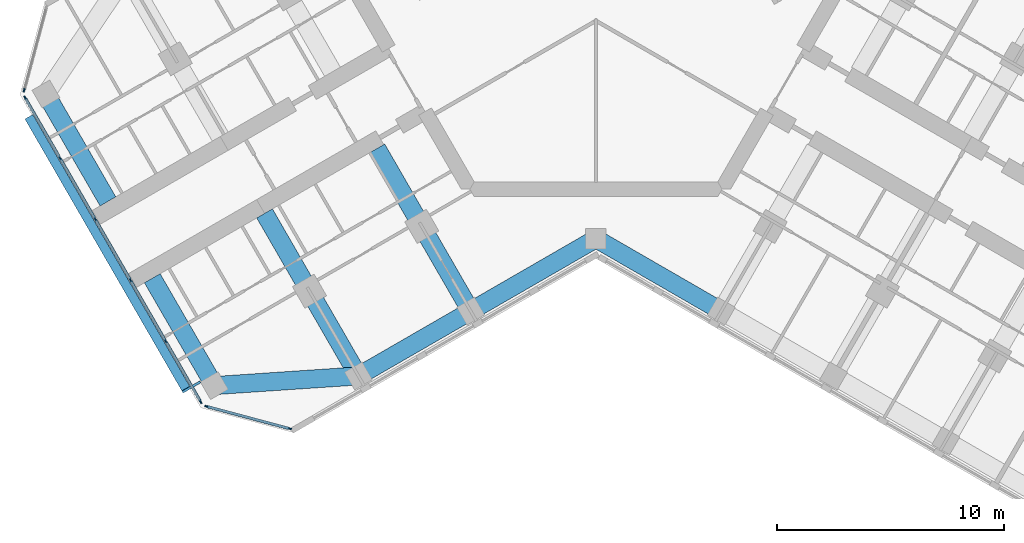
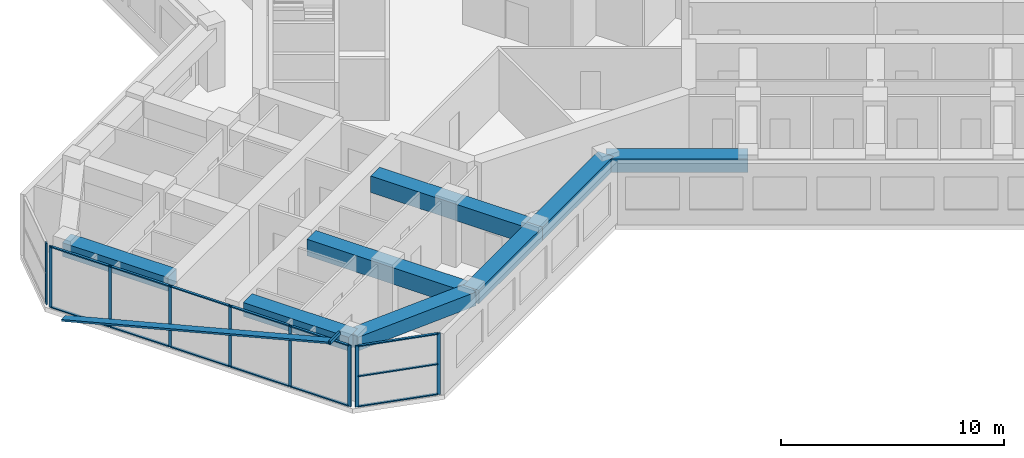
# One storey, part 2 of 16: 24 members, 8 beams, 3 elements without a shape of their own.
"""IFC4 building model written with IfcOpenShell, lengths in metres."""

from ifc_helpers import new_model, si_unit, direction, frame, origin, origin_2d, place, context, subcontext, project, spatial, rectangle, hollow_rectangle, extrude, material, material_profile, profile_set, type_object, element, aggregate, save


model = new_model("IFC4")

# Units and contexts
model_context = context("Model", 3, precision=1e-05, world=origin(), true_north=direction((0.0, 1.0)))
body_context = subcontext(model_context, "Body", "Model", "MODEL_VIEW")
ifc_project = project(units=[si_unit("LENGTHUNIT", "METRE"), si_unit("AREAUNIT", "SQUARE_METRE"), si_unit("VOLUMEUNIT", "CUBIC_METRE"), si_unit("PLANEANGLEUNIT", "RADIAN"), si_unit("MASSUNIT", "GRAM", prefix="KILO")], contexts=[model_context])

# Site, building, storey
site_placement = place(None, origin())
site = spatial("IfcSite", under=ifc_project, at=site_placement, CompositionType="ELEMENT")
building_placement = place(site_placement, origin())
building = spatial("IfcBuilding", under=site, at=building_placement, Name="Kosmar Iwan School Tower", CompositionType="ELEMENT")
storey_placement = place(building_placement, frame((0.0, 0.0, 201.0)))
storey = spatial("IfcBuildingStorey", under=building, at=storey_placement, Name="L50", CompositionType="ELEMENT", Elevation=201.0)

# Members
ifc_material_1 = material(Name="Black anodised aluminium", Category="aluminium")
ifc_material_profile_1 = material_profile(ifc_material_1, rectangle(XDim=0.10009765625, YDim=0.39990234375, at=origin_2d()), Name="FIN 100x400")
ifc_profile_set_1 = profile_set([ifc_material_profile_1], Name="Black anodised aluminium")
member_type_1 = type_object("IfcMemberType", Name="Diagonal fin 100x400", PredefinedType="USERDEFINED", material=ifc_profile_set_1)
member_1_placement = place(storey_placement, frame((-24.926513671875, -6.426025390625, -0.14990234375), z_axis=(0.483802480126, -0.837968840024, 0.252474520243), x_axis=(-0.126237445008, 0.218649241594, 0.967603543104)))
element("IfcMember", 1, at=member_1_placement, inside=storey, type_object=member_type_1, Name="Diagonal fin L50-F11", ObjectType="FIN", PredefinedType="USERDEFINED", context=body_context, shape_type="SweptSolid", body=[
    extrude(rectangle(XDim=0.10009765625, YDim=0.39990234375, at=origin_2d()), origin(), (0.0, 0.0, 1.0), 14.25830078125),
])
ifc_material_2 = material(Name="Steel S355", Category="steel")
ifc_material_profile_2 = material_profile(ifc_material_2, hollow_rectangle(XDim=0.10009765625, YDim=0.199951171875, WallThickness=0.008056640625, at=origin_2d()), Name="RHS 200x100x8")
ifc_profile_set_2 = profile_set([ifc_material_profile_2], Name="Steel S355")
member_type_2 = type_object("IfcMemberType", Name="Fin bracket RHS 200x100", PredefinedType="USERDEFINED", material=ifc_profile_set_2)
member_2_placement = place(storey_placement, frame((-17.396240234375, -18.06884765625, 3.47509765625), z_axis=(-0.866013897511, -0.50001992892, 0.0), x_axis=(0.50001992892, -0.866013897511, 0.0)))
element("IfcMember", 2, at=member_2_placement, inside=storey, type_object=member_type_2, Name="Fin bracket L51", ObjectType="FIN BRACKET", PredefinedType="USERDEFINED", context=body_context, shape_type="SweptSolid", body=[
    extrude(hollow_rectangle(XDim=0.10009765625, YDim=0.199951171875, WallThickness=0.008056640625, at=origin_2d()), origin(), (0.0, 0.0, 1.0), 0.89990234375),
])

# Curtain wall, member
ifc_material_3 = material(Name="Dark glass in black aluminium frame", Category="aluminium")
curtain_wall_type_1 = type_object("IfcCurtainWallType", Name="Chamfer curtain wall dark glass", PredefinedType="USERDEFINED", material=ifc_material_3)
curtain_wall_1_placement = place(storey_placement, origin())
curtain_wall_1 = element("IfcCurtainWall", 3, at=curtain_wall_1_placement, inside=storey, type_object=curtain_wall_type_1, Name="Curtain wall L50-F10", ObjectType="FACETED CURTAIN WALL", PredefinedType="USERDEFINED")
ifc_material_4 = material(Name="Black anodised aluminium", Category="aluminium")
ifc_material_profile_3 = material_profile(ifc_material_4, rectangle(XDim=0.06005859375, YDim=0.159912109375, at=origin_2d()), Name="MULLION 60x160")
ifc_profile_set_3 = profile_set([ifc_material_profile_3], Name="Black anodised aluminium")
member_type_3 = type_object("IfcMemberType", Name="Mullion 60x160", PredefinedType="MULLION", material=ifc_profile_set_3)
member_3_placement = place(storey_placement, frame((-25.141845703125, -5.24853515625, 0.0), z_axis=(0.0, 0.0, 1.0), x_axis=(0.965925875495, -0.258818861462, 0.0)))
member_3 = element("IfcMember", 4, at=member_3_placement, type_object=member_type_3, Name="CW2 mullion 2", PredefinedType="MULLION", context=body_context, shape_type="SweptSolid", body=[
    extrude(rectangle(XDim=0.06005859375, YDim=0.159912109375, at=origin_2d()), origin(), (0.0, 0.0, 1.0), 3.35009765625),
])
aggregate(curtain_wall_1, [member_3])

# Curtain wall, members
ifc_material_5 = material(Name="Dark glass in black aluminium frame", Category="aluminium")
curtain_wall_type_2 = type_object("IfcCurtainWallType", Name="Tower curtain wall dark glass", PredefinedType="USERDEFINED", material=ifc_material_5)
curtain_wall_2_placement = place(storey_placement, origin())
curtain_wall_2 = element("IfcCurtainWall", 5, at=curtain_wall_2_placement, inside=storey, type_object=curtain_wall_type_2, Name="Curtain wall L50-F11", ObjectType="UNITISED CURTAIN WALL", PredefinedType="USERDEFINED")
member_4_placement = place(storey_placement, frame((-25.098388671875, -5.578369140625, 0.0), z_axis=(0.0, 0.0, 1.0), x_axis=(0.866025405329, 0.499999997325, 0.0)))
member_4 = element("IfcMember", 6, at=member_4_placement, type_object=member_type_3, Name="CW1 mullion 1", PredefinedType="MULLION", context=body_context, shape_type="SweptSolid", body=[
    extrude(rectangle(XDim=0.06005859375, YDim=0.159912109375, at=origin_2d()), origin(), (0.0, 0.0, 1.0), 3.35009765625),
])
member_5_placement = place(storey_placement, frame((-23.563720703125, -8.236328125, 0.0), z_axis=(0.0, 0.0, 1.0), x_axis=(0.866025405329, 0.499999997325, 0.0)))
member_5 = element("IfcMember", 7, at=member_5_placement, type_object=member_type_3, Name="CW1 mullion 2", PredefinedType="MULLION", context=body_context, shape_type="SweptSolid", body=[
    extrude(rectangle(XDim=0.06005859375, YDim=0.159912109375, at=origin_2d()), origin(), (0.0, 0.0, 1.0), 3.35009765625),
])
member_6_placement = place(storey_placement, frame((-22.01416015625, -10.92041015625, 0.0), z_axis=(0.0, 0.0, 1.0), x_axis=(0.866025405329, 0.499999997325, 0.0)))
member_6 = element("IfcMember", 8, at=member_6_placement, type_object=member_type_3, Name="CW1 mullion 3", PredefinedType="MULLION", context=body_context, shape_type="SweptSolid", body=[
    extrude(rectangle(XDim=0.06005859375, YDim=0.159912109375, at=origin_2d()), origin(), (0.0, 0.0, 1.0), 3.35009765625),
])
member_7_placement = place(storey_placement, frame((-20.46435546875, -13.6044921875, 0.0), z_axis=(0.0, 0.0, 1.0), x_axis=(0.866025405329, 0.499999997325, 0.0)))
member_7 = element("IfcMember", 9, at=member_7_placement, type_object=member_type_3, Name="CW1 mullion 4", PredefinedType="MULLION", context=body_context, shape_type="SweptSolid", body=[
    extrude(rectangle(XDim=0.06005859375, YDim=0.159912109375, at=origin_2d()), origin(), (0.0, 0.0, 1.0), 3.35009765625),
])
member_8_placement = place(storey_placement, frame((-18.914794921875, -16.28857421875, 0.0), z_axis=(0.0, 0.0, 1.0), x_axis=(0.866025405329, 0.499999997325, 0.0)))
member_8 = element("IfcMember", 10, at=member_8_placement, type_object=member_type_3, Name="CW1 mullion 5", PredefinedType="MULLION", context=body_context, shape_type="SweptSolid", body=[
    extrude(rectangle(XDim=0.06005859375, YDim=0.159912109375, at=origin_2d()), origin(), (0.0, 0.0, 1.0), 3.35009765625),
])
member_9_placement = place(storey_placement, frame((-17.380126953125, -18.94677734375, 0.0), z_axis=(0.0, 0.0, 1.0), x_axis=(0.866025405329, 0.499999997325, 0.0)))
member_9 = element("IfcMember", 11, at=member_9_placement, type_object=member_type_3, Name="CW1 mullion 6", PredefinedType="MULLION", context=body_context, shape_type="SweptSolid", body=[
    extrude(rectangle(XDim=0.06005859375, YDim=0.159912109375, at=origin_2d()), origin(), (0.0, 0.0, 1.0), 3.35009765625),
])

curtain_wall_3_placement = place(storey_placement, origin())
curtain_wall_3 = element("IfcCurtainWall", 12, at=curtain_wall_3_placement, inside=storey, type_object=curtain_wall_type_1, Name="Curtain wall L50-F12", ObjectType="FACETED CURTAIN WALL", PredefinedType="USERDEFINED")
member_10_placement = place(storey_placement, frame((-17.1162109375, -19.149169921875, 0.0), z_axis=(0.0, 0.0, 1.0), x_axis=(0.258818861462, 0.965925875495, 0.0)))
member_10 = element("IfcMember", 13, at=member_10_placement, type_object=member_type_3, Name="CW2 mullion 1", PredefinedType="MULLION", context=body_context, shape_type="SweptSolid", body=[
    extrude(rectangle(XDim=0.06005859375, YDim=0.159912109375, at=origin_2d()), origin(), (0.0, 0.0, 1.0), 3.35009765625),
])
member_11_placement = place(storey_placement, frame((-13.466064453125, -20.127197265625, 0.0), z_axis=(0.0, 0.0, 1.0), x_axis=(0.258818861462, 0.965925875495, 0.0)))
member_11 = element("IfcMember", 14, at=member_11_placement, type_object=member_type_3, Name="CW2 mullion 2", PredefinedType="MULLION", context=body_context, shape_type="SweptSolid", body=[
    extrude(rectangle(XDim=0.06005859375, YDim=0.159912109375, at=origin_2d()), origin(), (0.0, 0.0, 1.0), 3.35009765625),
])

# Beams
ifc_material_6 = material(Name="Concrete C50/60", Category="concrete")
ifc_material_profile_4 = material_profile(ifc_material_6, rectangle(XDim=0.800048828125, YDim=0.75, at=origin_2d()), Name="RC 800x750")
ifc_profile_set_4 = profile_set([ifc_material_profile_4], Name="Concrete C50/60")
beam_type_1 = type_object("IfcBeamType", Name="RC edge beam 800x750", PredefinedType="BEAM", material=ifc_profile_set_4)
beam_1_placement = place(storey_placement, frame((0.0, -11.77783203125, 2.97509765625), z_axis=(-0.866014293216, -0.500019243575, 0.0), x_axis=(0.500019243575, -0.866014293216, 0.0)))
element("IfcBeam", 15, at=beam_1_placement, inside=storey, type_object=beam_type_1, Name="Edge beam BL1", PredefinedType="BEAM", context=body_context, shape_type="SweptSolid", body=[
    extrude(rectangle(XDim=0.800048828125, YDim=0.75, at=origin_2d()), origin(), (0.0, 0.0, 1.0), 6.361083984375),
])
beam_2_placement = place(storey_placement, frame((-5.5087890625, -14.95849609375, 2.97509765625), z_axis=(-0.866033658841, -0.49998570155, 0.0), x_axis=(0.49998570155, -0.866033658841, 0.0)))
element("IfcBeam", 16, at=beam_2_placement, inside=storey, type_object=beam_type_1, Name="Edge beam BL2", PredefinedType="BEAM", context=body_context, shape_type="SweptSolid", body=[
    extrude(rectangle(XDim=0.800048828125, YDim=0.75, at=origin_2d()), origin(), (0.0, 0.0, 1.0), 5.699951171875),
])
beam_3_placement = place(storey_placement, frame((0.0, -11.77783203125, 2.97509765625), z_axis=(0.866014293216, -0.500019243575, 0.0), x_axis=(0.500019243575, 0.866014293216, 0.0)))
element("IfcBeam", 17, at=beam_3_placement, inside=storey, type_object=beam_type_1, Name="Edge beam CR1", PredefinedType="BEAM", context=body_context, shape_type="SweptSolid", body=[
    extrude(rectangle(XDim=0.800048828125, YDim=0.75, at=origin_2d()), origin(), (0.0, 0.0, 1.0), 6.361083984375),
])
ifc_material_7 = material(Name="Concrete C50/60", Category="concrete")
ifc_material_profile_5 = material_profile(ifc_material_7, rectangle(XDim=0.800048828125, YDim=0.75, at=origin_2d()), Name="RC 800x750")
ifc_profile_set_5 = profile_set([ifc_material_profile_5], Name="Concrete C50/60")
beam_type_2 = type_object("IfcBeamType", Name="RC tip beam 800x750", PredefinedType="BEAM", material=ifc_profile_set_5)
beam_4_placement = place(storey_placement, frame((-10.445068359375, -17.808349609375, 2.97509765625), z_axis=(-0.997755118724, -0.066968074933, 0.0), x_axis=(0.066968074933, -0.997755118724, 0.0)))
element("IfcBeam", 18, at=beam_4_placement, inside=storey, type_object=beam_type_2, Name="Tip beam BL", PredefinedType="BEAM", context=body_context, shape_type="SweptSolid", body=[
    extrude(rectangle(XDim=0.800048828125, YDim=0.75, at=origin_2d()), origin(), (0.0, 0.0, 1.0), 6.3505859375),
])
beam_5_placement = place(storey_placement, frame((-16.781494140625, -18.233642578125, 2.97509765625), z_axis=(-0.500002931134, 0.866023711487, 0.0), x_axis=(-0.866023711487, -0.500002931134, 0.0)))
element("IfcBeam", 19, at=beam_5_placement, inside=storey, type_object=beam_type_2, Name="Tip beam BL to corridor wall", PredefinedType="BEAM", context=body_context, shape_type="SweptSolid", body=[
    extrude(rectangle(XDim=0.800048828125, YDim=0.75, at=origin_2d()), origin(), (0.0, 0.0, 1.0), 5.4501953125),
])
beam_6_placement = place(storey_placement, frame((-24.181396484375, -5.41650390625, 2.97509765625), z_axis=(0.499988730927, -0.866031909889, 0.0), x_axis=(0.866031909889, 0.499988730927, 0.0)))
element("IfcBeam", 20, at=beam_6_placement, inside=storey, type_object=beam_type_2, Name="Tip beam BR to corridor wall", PredefinedType="BEAM", context=body_context, shape_type="SweptSolid", body=[
    extrude(rectangle(XDim=0.800048828125, YDim=0.75, at=origin_2d()), origin(), (0.0, 0.0, 1.0), 5.449951171875),
])
ifc_material_8 = material(Name="Concrete C50/60", Category="concrete")
ifc_material_profile_6 = material_profile(ifc_material_8, rectangle(XDim=0.800048828125, YDim=0.89990234375, at=origin_2d()), Name="RC 800x900")
ifc_profile_set_6 = profile_set([ifc_material_profile_6], Name="Concrete C50/60")
beam_type_3 = type_object("IfcBeamType", Name="RC transverse beam 800x900", PredefinedType="BEAM", material=ifc_profile_set_6)
beam_7_placement = place(storey_placement, frame((-5.5087890625, -14.95849609375, 2.89990234375), z_axis=(-0.499996545922, 0.866027397988, 0.0), x_axis=(-0.866027397988, -0.499996545922, 0.0)))
element("IfcBeam", 21, at=beam_7_placement, inside=storey, type_object=beam_type_3, Name="Transverse beam BL1", PredefinedType="BEAM", context=body_context, shape_type="SweptSolid", body=[
    extrude(rectangle(XDim=0.800048828125, YDim=0.89990234375, at=origin_2d()), origin(), (0.0, 0.0, 1.0), 8.25),
])
beam_8_placement = place(storey_placement, frame((-10.445068359375, -17.808349609375, 2.89990234375), z_axis=(-0.500009360108, 0.866019999656, 0.0), x_axis=(-0.866019999656, -0.500009360108, 0.0)))
element("IfcBeam", 22, at=beam_8_placement, inside=storey, type_object=beam_type_3, Name="Transverse beam BL2", PredefinedType="BEAM", context=body_context, shape_type="SweptSolid", body=[
    extrude(rectangle(XDim=0.800048828125, YDim=0.89990234375, at=origin_2d()), origin(), (0.0, 0.0, 1.0), 8.249755859375),
])

# Member
ifc_material_9 = material(Name="Black anodised aluminium", Category="aluminium")
ifc_material_profile_7 = material_profile(ifc_material_9, rectangle(XDim=0.1201171875, YDim=0.06005859375, at=origin_2d()), Name="TRANSOM 60x120")
ifc_profile_set_7 = profile_set([ifc_material_profile_7], Name="Black anodised aluminium")
member_type_4 = type_object("IfcMemberType", Name="Transom 60x120", PredefinedType="USERDEFINED", material=ifc_profile_set_7)
member_12_placement = place(storey_placement, frame((-25.08349609375, -5.604248046875, 0.030029296875), z_axis=(0.499986971506, -0.866032925658, 0.0), x_axis=(0.866032925658, 0.499986971506, 0.0)))
member_12 = element("IfcMember", 23, at=member_12_placement, type_object=member_type_4, Name="CW1 transom 1.1", ObjectType="TRANSOM", PredefinedType="USERDEFINED", context=body_context, shape_type="SweptSolid", body=[
    extrude(rectangle(XDim=0.1201171875, YDim=0.06005859375, at=origin_2d()), origin(), (0.0, 0.0, 1.0), 3.00927734375),
])

member_13_placement = place(storey_placement, frame((-25.08349609375, -5.604248046875, 3.320068359375), z_axis=(0.499986971506, -0.866032925658, 0.0), x_axis=(0.866032925658, 0.499986971506, 0.0)))
member_13 = element("IfcMember", 24, at=member_13_placement, type_object=member_type_4, Name="CW1 transom 1.2", ObjectType="TRANSOM", PredefinedType="USERDEFINED", context=body_context, shape_type="SweptSolid", body=[
    extrude(rectangle(XDim=0.1201171875, YDim=0.06005859375, at=origin_2d()), origin(), (0.0, 0.0, 1.0), 3.00927734375),
])

member_14_placement = place(storey_placement, frame((-23.548828125, -8.262451171875, 0.030029296875), z_axis=(0.500035348339, -0.866004994449, 0.0), x_axis=(0.866004994449, 0.500035348339, 0.0)))
member_14 = element("IfcMember", 25, at=member_14_placement, type_object=member_type_4, Name="CW1 transom 2.1", ObjectType="TRANSOM", PredefinedType="USERDEFINED", context=body_context, shape_type="SweptSolid", body=[
    extrude(rectangle(XDim=0.1201171875, YDim=0.06005859375, at=origin_2d()), origin(), (0.0, 0.0, 1.0), 3.039306640625),
])

member_15_placement = place(storey_placement, frame((-23.548828125, -8.262451171875, 3.320068359375), z_axis=(0.500035348339, -0.866004994449, 0.0), x_axis=(0.866004994449, 0.500035348339, 0.0)))
member_15 = element("IfcMember", 26, at=member_15_placement, type_object=member_type_4, Name="CW1 transom 2.2", ObjectType="TRANSOM", PredefinedType="USERDEFINED", context=body_context, shape_type="SweptSolid", body=[
    extrude(rectangle(XDim=0.1201171875, YDim=0.06005859375, at=origin_2d()), origin(), (0.0, 0.0, 1.0), 3.039306640625),
])

member_16_placement = place(storey_placement, frame((-21.9990234375, -10.946533203125, 0.030029296875), z_axis=(0.499975102327, -0.866039777986, 0.0), x_axis=(0.866039777986, 0.499975102327, 0.0)))
member_16 = element("IfcMember", 27, at=member_16_placement, type_object=member_type_4, Name="CW1 transom 3.1", ObjectType="TRANSOM", PredefinedType="USERDEFINED", context=body_context, shape_type="SweptSolid", body=[
    extrude(rectangle(XDim=0.1201171875, YDim=0.06005859375, at=origin_2d()), origin(), (0.0, 0.0, 1.0), 3.039306640625),
])

member_17_placement = place(storey_placement, frame((-21.9990234375, -10.946533203125, 3.320068359375), z_axis=(0.499975102327, -0.866039777986, 0.0), x_axis=(0.866039777986, 0.499975102327, 0.0)))
member_17 = element("IfcMember", 28, at=member_17_placement, type_object=member_type_4, Name="CW1 transom 3.2", ObjectType="TRANSOM", PredefinedType="USERDEFINED", context=body_context, shape_type="SweptSolid", body=[
    extrude(rectangle(XDim=0.1201171875, YDim=0.06005859375, at=origin_2d()), origin(), (0.0, 0.0, 1.0), 3.039306640625),
])

member_18_placement = place(storey_placement, frame((-20.449462890625, -13.630615234375, 0.030029296875), z_axis=(0.500035348339, -0.866004994449, 0.0), x_axis=(0.866004994449, 0.500035348339, 0.0)))
member_18 = element("IfcMember", 29, at=member_18_placement, type_object=member_type_4, Name="CW1 transom 4.1", ObjectType="TRANSOM", PredefinedType="USERDEFINED", context=body_context, shape_type="SweptSolid", body=[
    extrude(rectangle(XDim=0.1201171875, YDim=0.06005859375, at=origin_2d()), origin(), (0.0, 0.0, 1.0), 3.039306640625),
])

member_19_placement = place(storey_placement, frame((-20.449462890625, -13.630615234375, 3.320068359375), z_axis=(0.500035348339, -0.866004994449, 0.0), x_axis=(0.866004994449, 0.500035348339, 0.0)))
member_19 = element("IfcMember", 30, at=member_19_placement, type_object=member_type_4, Name="CW1 transom 4.2", ObjectType="TRANSOM", PredefinedType="USERDEFINED", context=body_context, shape_type="SweptSolid", body=[
    extrude(rectangle(XDim=0.1201171875, YDim=0.06005859375, at=origin_2d()), origin(), (0.0, 0.0, 1.0), 3.039306640625),
])

member_20_placement = place(storey_placement, frame((-18.89990234375, -16.314697265625, 0.030029296875), z_axis=(0.500022102064, -0.866012642776, 0.0), x_axis=(0.866012642776, 0.500022102064, 0.0)))
member_20 = element("IfcMember", 31, at=member_20_placement, type_object=member_type_4, Name="CW1 transom 5.1", ObjectType="TRANSOM", PredefinedType="USERDEFINED", context=body_context, shape_type="SweptSolid", body=[
    extrude(rectangle(XDim=0.1201171875, YDim=0.06005859375, at=origin_2d()), origin(), (0.0, 0.0, 1.0), 3.009033203125),
])

member_21_placement = place(storey_placement, frame((-18.89990234375, -16.314697265625, 3.320068359375), z_axis=(0.500022102064, -0.866012642776, 0.0), x_axis=(0.866012642776, 0.500022102064, 0.0)))
member_21 = element("IfcMember", 32, at=member_21_placement, type_object=member_type_4, Name="CW1 transom 5.2", ObjectType="TRANSOM", PredefinedType="USERDEFINED", context=body_context, shape_type="SweptSolid", body=[
    extrude(rectangle(XDim=0.1201171875, YDim=0.06005859375, at=origin_2d()), origin(), (0.0, 0.0, 1.0), 3.009033203125),
])

aggregate(curtain_wall_2, [member_4, member_5, member_6, member_7, member_8, member_9, member_12, member_13, member_14, member_15, member_16, member_17, member_18, member_19, member_20, member_21])

member_22_placement = place(storey_placement, frame((-17.08740234375, -19.156982421875, 0.030029296875), z_axis=(0.965940141052, -0.258765615768, 0.0), x_axis=(0.258765615768, 0.965940141052, 0.0)))
member_22 = element("IfcMember", 33, at=member_22_placement, type_object=member_type_4, Name="CW2 transom 1.1", ObjectType="TRANSOM", PredefinedType="USERDEFINED", context=body_context, shape_type="SweptSolid", body=[
    extrude(rectangle(XDim=0.1201171875, YDim=0.06005859375, at=origin_2d()), origin(), (0.0, 0.0, 1.0), 3.71923828125),
])

member_23_placement = place(storey_placement, frame((-17.08740234375, -19.156982421875, 1.675048828125), z_axis=(0.965940141052, -0.258765615768, 0.0), x_axis=(0.258765615768, 0.965940141052, 0.0)))
member_23 = element("IfcMember", 34, at=member_23_placement, type_object=member_type_4, Name="CW2 transom 1.2", ObjectType="TRANSOM", PredefinedType="USERDEFINED", context=body_context, shape_type="SweptSolid", body=[
    extrude(rectangle(XDim=0.1201171875, YDim=0.06005859375, at=origin_2d()), origin(), (0.0, 0.0, 1.0), 3.71923828125),
])

member_24_placement = place(storey_placement, frame((-17.08740234375, -19.156982421875, 3.320068359375), z_axis=(0.965940141052, -0.258765615768, 0.0), x_axis=(0.258765615768, 0.965940141052, 0.0)))
member_24 = element("IfcMember", 35, at=member_24_placement, type_object=member_type_4, Name="CW2 transom 1.3", ObjectType="TRANSOM", PredefinedType="USERDEFINED", context=body_context, shape_type="SweptSolid", body=[
    extrude(rectangle(XDim=0.1201171875, YDim=0.06005859375, at=origin_2d()), origin(), (0.0, 0.0, 1.0), 3.71923828125),
])

aggregate(curtain_wall_3, [member_10, member_11, member_22, member_23, member_24])

save(model, "model.ifc")
